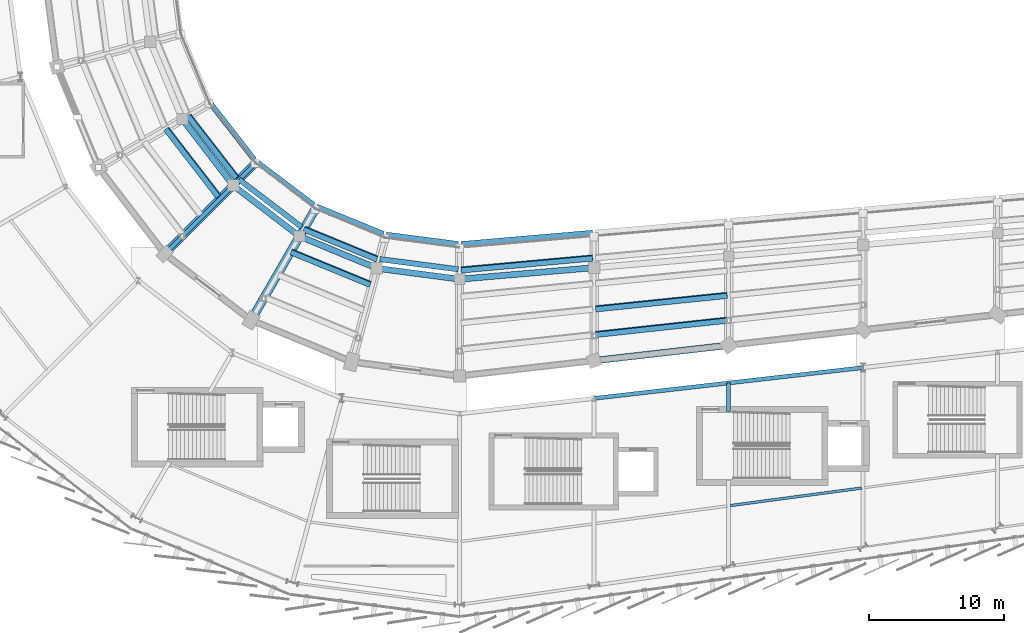
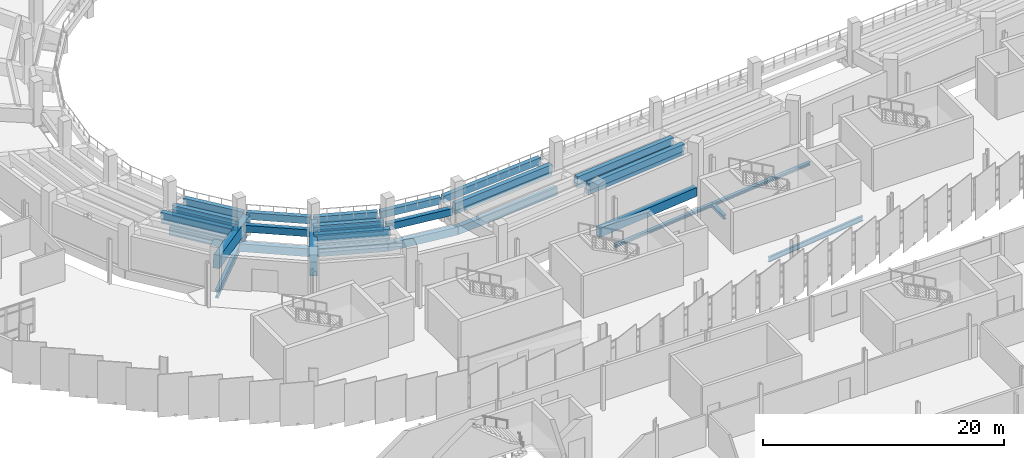
# One storey, part 38 of 120: 34 beams.
"""IFC4 building model written with IfcOpenShell, lengths in metres."""

from ifc_helpers import new_model, si_unit, direction, frame, origin, origin_2d, place, context, subcontext, project, spatial, rectangle, i_section, extrude, material, material_profile, profile_set, type_object, element, save


model = new_model("IFC4")

# Units and contexts
model_context = context("Model", 3, precision=1e-05, world=origin(), true_north=direction((0.0, 1.0)))
body_context = subcontext(model_context, "Body", "Model", "MODEL_VIEW")
ifc_project = project(units=[si_unit("LENGTHUNIT", "METRE"), si_unit("AREAUNIT", "SQUARE_METRE"), si_unit("VOLUMEUNIT", "CUBIC_METRE"), si_unit("PLANEANGLEUNIT", "RADIAN"), si_unit("MASSUNIT", "GRAM", prefix="KILO")], contexts=[model_context])

# Site, building, storey
site_placement = place(None, origin())
site = spatial("IfcSite", under=ifc_project, at=site_placement, CompositionType="ELEMENT")
building_placement = place(site_placement, origin())
building = spatial("IfcBuilding", under=site, at=building_placement, Name="Sohan Crest Arena", CompositionType="ELEMENT")
storey_placement = place(building_placement, frame((0.0, 0.0, 13.5)))
storey = spatial("IfcBuildingStorey", under=building, at=storey_placement, Name="L03", CompositionType="ELEMENT", Elevation=13.5)

# Beams
ifc_material_1 = material(Name="Steel S355", Category="steel")
ifc_material_profile_1 = material_profile(ifc_material_1, i_section(OverallWidth=0.199951171875, OverallDepth=0.5, WebThickness=0.01025390625, FlangeThickness=0.01611328125, at=origin_2d()), Name="IPE 500")
ifc_profile_set_1 = profile_set([ifc_material_profile_1], Name="Steel S355")
beam_type_1 = type_object("IfcBeamType", Name="STR-BM-B05", PredefinedType="JOIST", material=ifc_profile_set_1)
beam_1_placement = place(storey_placement, frame((118.10888671875, 37.3701171875, -0.5), z_axis=(0.991232437337, 0.132129690721, 0.0), x_axis=(-0.132129690721, 0.991232437337, 0.0)))
element("IfcBeam", 1, at=beam_1_placement, inside=storey, type_object=beam_type_1, Name="Structural beam J-L03-1460", PredefinedType="JOIST", context=body_context, shape_type="SweptSolid", body=[
    extrude(i_section(OverallWidth=0.199951171875, OverallDepth=0.5, WebThickness=0.01025390625, FlangeThickness=0.01611328125, at=origin_2d()), origin(), (0.0, 0.0, 1.0), 9.86865234375),
])
ifc_material_profile_2 = material_profile(ifc_material_1, i_section(OverallWidth=0.300048828125, OverallDepth=0.300048828125, WebThickness=0.010986328125, FlangeThickness=0.01904296875, at=origin_2d()), Name="HEB 300")
ifc_profile_set_2 = profile_set([ifc_material_profile_2], Name="Steel S355")
beam_type_2 = type_object("IfcBeamType", Name="STR-BM-B12", PredefinedType="BEAM", material=ifc_profile_set_2)
for number, where, z_axis, x_axis, name in (
    (2, (108.0, 45.343017578125, -0.39990234375), (0.99353032697, 0.113567114035, 0.0), (-0.113567114035, 0.99353032697, 0.0), "Structural beam G-L03-1453"),
    (3, (118.0, 46.486083984375, -0.39990234375), (0.993533063564, 0.113543170668, 0.0), (-0.113543170668, 0.993533063564, 0.0), "Structural beam G-L03-1458"),
):
    element("IfcBeam", number, at=place(storey_placement, frame(where, z_axis=z_axis, x_axis=x_axis)), inside=storey, type_object=beam_type_2, Name=name, PredefinedType="BEAM", context=body_context, shape_type="SweptSolid", body=[
        extrude(i_section(OverallWidth=0.300048828125, OverallDepth=0.300048828125, WebThickness=0.010986328125, FlangeThickness=0.01904296875, at=origin_2d()), origin(), (0.0, 0.0, 1.0), 10.065185546875),
    ])
ifc_material_profile_3 = material_profile(ifc_material_1, i_section(OverallWidth=0.300048828125, OverallDepth=0.39990234375, WebThickness=0.013427734375, FlangeThickness=0.02392578125, at=origin_2d()), Name="HEB 400")
ifc_profile_set_3 = profile_set([ifc_material_profile_3], Name="Steel S355")
beam_type_3 = type_object("IfcBeamType", Name="STR-BM-B13", PredefinedType="BEAM", material=ifc_profile_set_3)
beam_2_placement = place(storey_placement, frame((118.0, 46.486083984375, -0.449951171875), z_axis=(0.0, -1.0, 0.0), x_axis=(1.0, 0.0, 0.0)))
element("IfcBeam", 4, at=beam_2_placement, inside=storey, type_object=beam_type_3, Name="Structural beam G-L03-1456", PredefinedType="BEAM", context=body_context, shape_type="SweptSolid", body=[
    extrude(i_section(OverallWidth=0.300048828125, OverallDepth=0.39990234375, WebThickness=0.013427734375, FlangeThickness=0.02392578125, at=origin_2d()), origin(), (0.0, 0.0, 1.0), 2.106201171875),
])
ifc_material_profile_4 = material_profile(ifc_material_1, i_section(OverallWidth=0.300048828125, OverallDepth=0.800048828125, WebThickness=0.017578125, FlangeThickness=0.032958984375, at=origin_2d()), Name="HEB 800")
ifc_profile_set_4 = profile_set([ifc_material_profile_4], Name="Steel S355")
beam_type_4 = type_object("IfcBeamType", Name="STR-BM-B17", PredefinedType="BEAM", material=ifc_profile_set_4)
beam_3_placement = place(storey_placement, frame((76.080078125, 56.080078125, -0.64990234375), z_axis=(0.707106781187, 0.707106781187, 0.0), x_axis=(-0.707106781187, 0.707106781187, 0.0)))
element("IfcBeam", 5, at=beam_3_placement, inside=storey, type_object=beam_type_4, Name="Structural beam GC-L03-0839", PredefinedType="BEAM", context=body_context, shape_type="SweptSolid", body=[
    extrude(i_section(OverallWidth=0.300048828125, OverallDepth=0.800048828125, WebThickness=0.017578125, FlangeThickness=0.032958984375, at=origin_2d()), origin(), (0.0, 0.0, 1.0), 9.499267578125),
])
ifc_material_2 = material(Name="Precast concrete C50/60", Category="concrete")
ifc_material_profile_5 = material_profile(ifc_material_2, rectangle(XDim=0.60009765625, YDim=1.199951171875, at=origin_2d()), Name="RAKER 600x1200")
ifc_profile_set_5 = profile_set([ifc_material_profile_5], Name="Precast concrete C50/60")
beam_type_5 = type_object("IfcBeamType", Name="STR-BM-RK04", PredefinedType="USERDEFINED", material=ifc_profile_set_5)
beam_4_placement = place(storey_placement, frame((82.797119140625, 62.797119140625, 0.35009765625), z_axis=(-0.687252512696, -0.687252512696, 0.235303989736), x_axis=(0.707106781187, -0.707106781187, 0.0)))
element("IfcBeam", 6, at=beam_4_placement, inside=storey, type_object=beam_type_5, Name="Structural beam RKU-L03-0840", ObjectType="RAKER", PredefinedType="USERDEFINED", context=body_context, shape_type="SweptSolid", body=[
    extrude(rectangle(XDim=0.60009765625, YDim=1.199951171875, at=origin_2d()), origin(), (0.0, 0.0, 1.0), 9.773681640625),
])
ifc_material_profile_6 = material_profile(ifc_material_2, rectangle(XDim=0.64990234375, YDim=1.25, at=origin_2d()), Name="RAKER 650x1250")
ifc_profile_set_6 = profile_set([ifc_material_profile_6], Name="Precast concrete C50/60")
beam_type_6 = type_object("IfcBeamType", Name="STR-BM-RK05", PredefinedType="USERDEFINED", material=ifc_profile_set_6)
beam_5_placement = place(storey_placement, frame((87.25, 59.381103515625, 0.35009765625), z_axis=(-0.485929917069, -0.841735714693, 0.235272400226), x_axis=(0.866046085977, -0.49996417568, 0.0)))
element("IfcBeam", 7, at=beam_5_placement, inside=storey, type_object=beam_type_6, Name="Structural beam RKU-L03-0843", ObjectType="RAKER", PredefinedType="USERDEFINED", context=body_context, shape_type="SweptSolid", body=[
    extrude(rectangle(XDim=0.64990234375, YDim=1.25, at=origin_2d()), origin(), (0.0, 0.0, 1.0), 9.775146484375),
])
ifc_material_3 = material(Name="Concrete C40/50", Category="concrete")
ifc_material_profile_7 = material_profile(ifc_material_3, rectangle(XDim=0.39990234375, YDim=0.699951171875, at=origin_2d()), Name="RC-BM 400x700")
ifc_profile_set_7 = profile_set([ifc_material_profile_7], Name="Concrete C40/50")
beam_type_7 = type_object("IfcBeamType", Name="STR-BM-TB01", PredefinedType="BEAM", material=ifc_profile_set_7)
beam_6_placement = place(storey_placement, frame((79.448974609375, 67.31298828125, 0.85595703125), z_axis=(0.61395326828, -0.789342374618, 0.0), x_axis=(0.789342374618, 0.61395326828, 0.0)))
element("IfcBeam", 8, at=beam_6_placement, inside=storey, type_object=beam_type_7, Name="Upper tier front stringer TSB-U074A", PredefinedType="BEAM", context=body_context, shape_type="SweptSolid", body=[
    extrude(rectangle(XDim=0.39990234375, YDim=0.699951171875, at=origin_2d()), origin(), (0.0, 0.0, 1.0), 5.342529296875),
])
beam_7_placement = place(storey_placement, frame((77.867919921875, 66.3720703125, 0.85595703125), z_axis=(0.612933995186, -0.790134113645, 0.0), x_axis=(0.790134113645, 0.612933995186, 0.0)))
element("IfcBeam", 9, at=beam_7_placement, inside=storey, type_object=beam_type_7, Name="Upper tier rear stringer TSB-U074B", PredefinedType="BEAM", context=body_context, shape_type="SweptSolid", body=[
    extrude(rectangle(XDim=0.39990234375, YDim=0.699951171875, at=origin_2d()), origin(), (0.0, 0.0, 1.0), 5.829345703125),
])
beam_8_placement = place(storey_placement, frame((77.802001953125, 66.3330078125, 1.31591796875), z_axis=(0.61287670772, -0.790178550161, 0.0), x_axis=(0.790178550161, 0.61287670772, 0.0)))
element("IfcBeam", 10, at=beam_8_placement, inside=storey, type_object=beam_type_7, Name="Upper tier front stringer TSB-U075A", PredefinedType="BEAM", context=body_context, shape_type="SweptSolid", body=[
    extrude(rectangle(XDim=0.39990234375, YDim=0.699951171875, at=origin_2d()), origin(), (0.0, 0.0, 1.0), 5.849365234375),
])
beam_9_placement = place(storey_placement, frame((76.222900390625, 65.39208984375, 1.31591796875), z_axis=(0.611541825814, -0.791212105115, 0.0), x_axis=(0.791212105115, 0.611541825814, 0.0)))
element("IfcBeam", 11, at=beam_9_placement, inside=storey, type_object=beam_type_7, Name="Upper tier rear stringer TSB-U075B", PredefinedType="BEAM", context=body_context, shape_type="SweptSolid", body=[
    extrude(rectangle(XDim=0.39990234375, YDim=0.699951171875, at=origin_2d()), origin(), (0.0, 0.0, 1.0), 6.3349609375),
])
beam_10_placement = place(storey_placement, frame((76.156982421875, 65.35302734375, 1.77587890625), z_axis=(0.611512010816, -0.791235148756, 0.0), x_axis=(0.791235148756, 0.611512010816, 0.0)))
element("IfcBeam", 12, at=beam_10_placement, inside=storey, type_object=beam_type_7, Name="Upper tier front stringer TSB-U076A", PredefinedType="BEAM", context=body_context, shape_type="SweptSolid", body=[
    extrude(rectangle(XDim=0.39990234375, YDim=0.699951171875, at=origin_2d()), origin(), (0.0, 0.0, 1.0), 6.354736328125),
])
beam_11_placement = place(storey_placement, frame((82.885009765625, 62.943115234375, 0.85595703125), z_axis=(0.797463805194, -0.603366786794, 0.0), x_axis=(0.603366786794, 0.797463805194, 0.0)))
element("IfcBeam", 13, at=beam_11_placement, inside=storey, type_object=beam_type_7, Name="Upper tier front stringer TSB-U082A", PredefinedType="BEAM", context=body_context, shape_type="SweptSolid", body=[
    extrude(rectangle(XDim=0.39990234375, YDim=0.699951171875, at=origin_2d()), origin(), (0.0, 0.0, 1.0), 5.36328125),
])
beam_12_placement = place(storey_placement, frame((81.595947265625, 61.612060546875, 0.85595703125), z_axis=(0.796401228791, -0.604768619209, 0.0), x_axis=(0.604768619209, 0.796401228791, 0.0)))
element("IfcBeam", 14, at=beam_12_placement, inside=storey, type_object=beam_type_7, Name="Upper tier rear stringer TSB-U082B", PredefinedType="BEAM", context=body_context, shape_type="SweptSolid", body=[
    extrude(rectangle(XDim=0.39990234375, YDim=0.699951171875, at=origin_2d()), origin(), (0.0, 0.0, 1.0), 5.84375),
])
beam_13_placement = place(storey_placement, frame((87.35205078125, 59.59912109375, 0.85595703125), z_axis=(0.92571021469, -0.378233523657, 0.0), x_axis=(0.378233523657, 0.92571021469, 0.0)))
element("IfcBeam", 15, at=beam_13_placement, inside=storey, type_object=beam_type_7, Name="Upper tier front stringer TSB-U088A", PredefinedType="BEAM", context=body_context, shape_type="SweptSolid", body=[
    extrude(rectangle(XDim=0.39990234375, YDim=0.699951171875, at=origin_2d()), origin(), (0.0, 0.0, 1.0), 5.380615234375),
])
beam_14_placement = place(storey_placement, frame((86.43994140625, 57.968994140625, 0.85595703125), z_axis=(0.925296508975, -0.379244473235, 0.0), x_axis=(0.379244473235, 0.925296508975, 0.0)))
element("IfcBeam", 16, at=beam_14_placement, inside=storey, type_object=beam_type_7, Name="Upper tier rear stringer TSB-U088B", PredefinedType="BEAM", context=body_context, shape_type="SweptSolid", body=[
    extrude(rectangle(XDim=0.39990234375, YDim=0.699951171875, at=origin_2d()), origin(), (0.0, 0.0, 1.0), 5.85888671875),
])
beam_15_placement = place(storey_placement, frame((86.402099609375, 57.90087890625, 1.31591796875), z_axis=(0.925275515578, -0.379295689762, 0.0), x_axis=(0.379295689762, 0.925275515578, 0.0)))
element("IfcBeam", 17, at=beam_15_placement, inside=storey, type_object=beam_type_7, Name="Upper tier front stringer TSB-U089A", PredefinedType="BEAM", context=body_context, shape_type="SweptSolid", body=[
    extrude(rectangle(XDim=0.39990234375, YDim=0.699951171875, at=origin_2d()), origin(), (0.0, 0.0, 1.0), 5.879150390625),
])
beam_16_placement = place(storey_placement, frame((85.489990234375, 56.27099609375, 1.31591796875), z_axis=(0.924912538789, -0.380179951589, 0.0), x_axis=(0.380179951589, 0.924912538789, 0.0)))
element("IfcBeam", 18, at=beam_16_placement, inside=storey, type_object=beam_type_7, Name="Upper tier rear stringer TSB-U089B", PredefinedType="BEAM", context=body_context, shape_type="SweptSolid", body=[
    extrude(rectangle(XDim=0.39990234375, YDim=0.699951171875, at=origin_2d()), origin(), (0.0, 0.0, 1.0), 6.357421875),
])
beam_17_placement = place(storey_placement, frame((85.451904296875, 56.2041015625, 1.77587890625), z_axis=(0.924823905069, -0.380395510769, 0.0), x_axis=(0.380395510769, 0.924823905069, 0.0)))
element("IfcBeam", 19, at=beam_17_placement, inside=storey, type_object=beam_type_7, Name="Upper tier front stringer TSB-U090A", PredefinedType="BEAM", context=body_context, shape_type="SweptSolid", body=[
    extrude(rectangle(XDim=0.39990234375, YDim=0.699951171875, at=origin_2d()), origin(), (0.0, 0.0, 1.0), 6.377685546875),
])
beam_18_placement = place(storey_placement, frame((92.5439453125, 57.508056640625, 0.85595703125), z_axis=(0.991680257472, -0.128725548899, 0.0), x_axis=(0.128725548899, 0.991680257472, 0.0)))
element("IfcBeam", 20, at=beam_18_placement, inside=storey, type_object=beam_type_7, Name="Upper tier front stringer TSB-U096A", PredefinedType="BEAM", context=body_context, shape_type="SweptSolid", body=[
    extrude(rectangle(XDim=0.39990234375, YDim=0.699951171875, at=origin_2d()), origin(), (0.0, 0.0, 1.0), 5.39208984375),
])
beam_19_placement = place(storey_placement, frame((92.072021484375, 55.69091796875, 0.85595703125), z_axis=(0.991599947209, -0.129342741174, 0.0), x_axis=(0.129342741174, 0.991599947209, 0.0)))
element("IfcBeam", 21, at=beam_19_placement, inside=storey, type_object=beam_type_7, Name="Upper tier rear stringer TSB-U096B", PredefinedType="BEAM", context=body_context, shape_type="SweptSolid", body=[
    extrude(rectangle(XDim=0.39990234375, YDim=0.699951171875, at=origin_2d()), origin(), (0.0, 0.0, 1.0), 5.868408203125),
])
beam_20_placement = place(storey_placement, frame((98.110107421875, 56.80908203125, 0.85595703125), z_axis=(0.996341446953, 0.085461810668, 0.0), x_axis=(-0.085461810668, 0.996341446953, 0.0)))
element("IfcBeam", 22, at=beam_20_placement, inside=storey, type_object=beam_type_7, Name="Upper tier front stringer TSB-U102A", PredefinedType="BEAM", context=body_context, shape_type="SweptSolid", body=[
    extrude(rectangle(XDim=0.39990234375, YDim=0.699951171875, at=origin_2d()), origin(), (0.0, 0.0, 1.0), 9.815673828125),
])
beam_21_placement = place(storey_placement, frame((98.110107421875, 54.927978515625, 0.85595703125), z_axis=(0.995865446367, 0.090840589671, 0.0), x_axis=(-0.090840589671, 0.995865446367, 0.0)))
element("IfcBeam", 23, at=beam_21_placement, inside=storey, type_object=beam_type_7, Name="Upper tier rear stringer TSB-U102B", PredefinedType="BEAM", context=body_context, shape_type="SweptSolid", body=[
    extrude(rectangle(XDim=0.39990234375, YDim=0.699951171875, at=origin_2d()), origin(), (0.0, 0.0, 1.0), 9.8203125),
])
beam_22_placement = place(storey_placement, frame((98.110107421875, 54.85009765625, 1.31591796875), z_axis=(0.995849688569, 0.091013173645, 0.0), x_axis=(-0.091013173645, 0.995849688569, 0.0)))
element("IfcBeam", 24, at=beam_22_placement, inside=storey, type_object=beam_type_7, Name="Upper tier front stringer TSB-U103A", PredefinedType="BEAM", context=body_context, shape_type="SweptSolid", body=[
    extrude(rectangle(XDim=0.39990234375, YDim=0.699951171875, at=origin_2d()), origin(), (0.0, 0.0, 1.0), 9.820556640625),
])
for number, where, z_axis, x_axis, name in (
    (25, (108.10888671875, 52.035888671875, 1.77587890625), (0.994772712373, 0.102113910502, 0.0), (-0.102113910502, 0.994772712373, 0.0), "Upper tier rear stringer TSB-U114B"),
    (26, (108.10888671875, 51.9599609375, 2.236083984375), (0.994752517837, 0.102310450384, 0.0), (-0.102310450384, 0.994752517837, 0.0), "Upper tier front stringer TSB-U115A"),
):
    element("IfcBeam", number, at=place(storey_placement, frame(where, z_axis=z_axis, x_axis=x_axis)), inside=storey, type_object=beam_type_7, Name=name, PredefinedType="BEAM", context=body_context, shape_type="SweptSolid", body=[
        extrude(rectangle(XDim=0.39990234375, YDim=0.699951171875, at=origin_2d()), origin(), (0.0, 0.0, 1.0), 9.833740234375),
    ])
beam_23_placement = place(storey_placement, frame((108.10888671875, 50.134033203125, 2.236083984375), z_axis=(0.994190266823, 0.107636951619, 0.0), x_axis=(-0.107636951619, 0.994190266823, 0.0)))
element("IfcBeam", 27, at=beam_23_placement, inside=storey, type_object=beam_type_7, Name="Upper tier rear stringer TSB-U115B", PredefinedType="BEAM", context=body_context, shape_type="SweptSolid", body=[
    extrude(rectangle(XDim=0.39990234375, YDim=0.699951171875, at=origin_2d()), origin(), (0.0, 0.0, 1.0), 9.83935546875),
])
beam_24_placement = place(storey_placement, frame((108.10888671875, 50.05810546875, 2.696044921875), z_axis=(0.994158361485, 0.107931238706, 0.0), x_axis=(-0.107931238706, 0.994158361485, 0.0)))
element("IfcBeam", 28, at=beam_24_placement, inside=storey, type_object=beam_type_7, Name="Upper tier front stringer TSB-U116A", PredefinedType="BEAM", context=body_context, shape_type="SweptSolid", body=[
    extrude(rectangle(XDim=0.39990234375, YDim=0.699951171875, at=origin_2d()), origin(), (0.0, 0.0, 1.0), 9.839599609375),
])
ifc_material_profile_8 = material_profile(ifc_material_3, rectangle(XDim=0.449951171875, YDim=0.800048828125, at=origin_2d()), Name="RC-BM 450x800")
ifc_profile_set_8 = profile_set([ifc_material_profile_8], Name="Concrete C40/50")
beam_type_8 = type_object("IfcBeamType", Name="STR-BM-TB02", PredefinedType="BEAM", material=ifc_profile_set_8)
for number, where, z_axis, x_axis, name in (
    (29, (77.388916015625, 66.10009765625, -0.64990234375), (0.608728486864, -0.793378616602, 0.0), (0.793378616602, 0.608728486864, 0.0), "Structural beam TB-L03-0250"),
    (30, (81.1708984375, 61.1708984375, -0.64990234375), (0.793378616602, -0.608728486864, 0.0), (0.608728486864, 0.793378616602, 0.0), "Structural beam TB-L03-0272"),
):
    element("IfcBeam", number, at=place(storey_placement, frame(where, z_axis=z_axis, x_axis=x_axis)), inside=storey, type_object=beam_type_8, Name=name, PredefinedType="BEAM", context=body_context, shape_type="SweptSolid", body=[
        extrude(rectangle(XDim=0.449951171875, YDim=0.800048828125, at=origin_2d()), origin(), (0.0, 0.0, 1.0), 6.212890625),
    ])
for number, where, z_axis, x_axis, name in (
    (31, (86.10009765625, 57.388916015625, -0.64990234375), (0.92385973493, -0.382731224457, 0.0), (0.382731224457, 0.92385973493, 0.0), "Structural beam TB-L03-0294"),
    (32, (91.840087890625, 55.010986328125, -0.64990234375), (0.991443458676, -0.130536846329, 0.0), (0.130536846329, 0.991443458676, 0.0), "Structural beam TB-L03-0316"),
):
    element("IfcBeam", number, at=place(storey_placement, frame(where, z_axis=z_axis, x_axis=x_axis)), inside=storey, type_object=beam_type_8, Name=name, PredefinedType="BEAM", context=body_context, shape_type="SweptSolid", body=[
        extrude(rectangle(XDim=0.449951171875, YDim=0.800048828125, at=origin_2d()), origin(), (0.0, 0.0, 1.0), 6.213134765625),
    ])
beam_25_placement = place(storey_placement, frame((98.0, 54.199951171875, -0.64990234375), z_axis=(0.996348422929, 0.085380443469, 0.0), x_axis=(-0.085380443469, 0.996348422929, 0.0)))
element("IfcBeam", 33, at=beam_25_placement, inside=storey, type_object=beam_type_8, Name="Structural beam TB-L03-0338", PredefinedType="BEAM", context=body_context, shape_type="SweptSolid", body=[
    extrude(rectangle(XDim=0.449951171875, YDim=0.800048828125, at=origin_2d()), origin(), (0.0, 0.0, 1.0), 10.03662109375),
])
ifc_material_profile_9 = material_profile(ifc_material_3, rectangle(XDim=0.5, YDim=0.89990234375, at=origin_2d()), Name="RC-BM 500x900")
ifc_profile_set_9 = profile_set([ifc_material_profile_9], Name="Concrete C40/50")
beam_type_9 = type_object("IfcBeamType", Name="STR-BM-TB03", PredefinedType="BEAM", material=ifc_profile_set_9)
beam_26_placement = place(storey_placement, frame((108.0, 48.14306640625, -0.699951171875), z_axis=(0.993533063564, 0.113543170668, 0.0), x_axis=(-0.113543170668, 0.993533063564, 0.0)))
element("IfcBeam", 34, at=beam_26_placement, inside=storey, type_object=beam_type_9, Name="Structural beam TB-L03-0361", PredefinedType="BEAM", context=body_context, shape_type="SweptSolid", body=[
    extrude(rectangle(XDim=0.5, YDim=0.89990234375, at=origin_2d()), origin(), (0.0, 0.0, 1.0), 10.065185546875),
])

save(model, "model.ifc")
